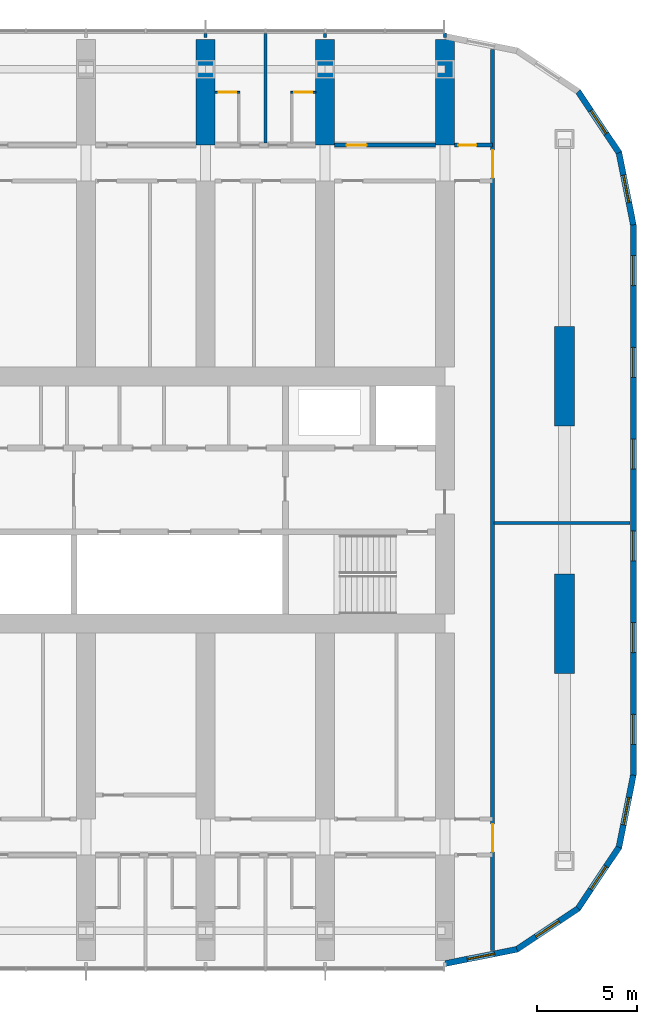
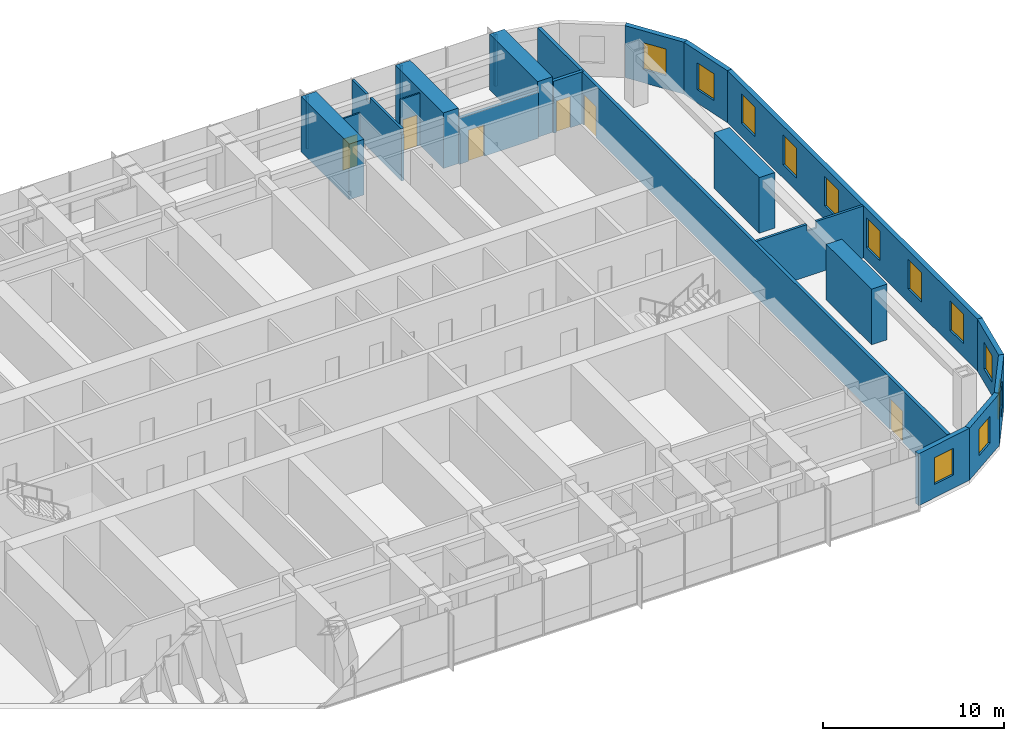
# One storey, part 15 of 21: 22 walls, 12 windows, 6 doors, 18 openings.
"""IFC4 building model written with IfcOpenShell, lengths in metres."""

from ifc_helpers import new_model, si_unit, direction, frame, frame_2d, origin, place, context, subcontext, project, spatial, polyline, rectangle, outline, extrude, material, layer, layer_set, type_object, element, fill, save


model = new_model("IFC4")

# Units and contexts
model_context = context("Model", 3, precision=1e-05, world=origin(), true_north=direction((0.0, 1.0)))
body_context = subcontext(model_context, "Body", "Model", "MODEL_VIEW")
ifc_project = project(units=[si_unit("LENGTHUNIT", "METRE"), si_unit("AREAUNIT", "SQUARE_METRE"), si_unit("VOLUMEUNIT", "CUBIC_METRE"), si_unit("PLANEANGLEUNIT", "RADIAN"), si_unit("MASSUNIT", "GRAM", prefix="KILO")], contexts=[model_context])

# Site, building, storey
site_placement = place(None, origin())
site = spatial("IfcSite", under=ifc_project, at=site_placement, CompositionType="ELEMENT")
building_placement = place(site_placement, origin())
building = spatial("IfcBuilding", under=site, at=building_placement, Name="Orbita Commons", CompositionType="ELEMENT")
storey_placement = place(building_placement, frame((0.0, 0.0, 125.64990234375)))
storey = spatial("IfcBuildingStorey", under=building, at=storey_placement, Name="L31", CompositionType="ELEMENT", Elevation=125.64990234375)

# Wall, opening, door
ifc_material_1 = material(Name="Concrete blockwork", Category="masonry")
ifc_layer_1 = layer(ifc_material_1, 0.199951171875)
ifc_layer_set_1 = layer_set([ifc_layer_1], Name="Concrete blockwork")
wall_type_1 = type_object("IfcWallType", Name="Corridor wall 200 blockwork", PredefinedType="SOLIDWALL", material=ifc_layer_set_1)
wall_1_placement = place(storey_placement, frame((60.47509765625, 49.800048828125, 0.0), z_axis=(0.0, 0.0, 1.0), x_axis=(1.0, 0.0, 0.0)))
wall_1 = element("IfcWall", 1, at=wall_1_placement, inside=storey, type_object=wall_type_1, Name="Corridor wall 200 blockwork L31", PredefinedType="SOLIDWALL", context=body_context, shape_type="SweptSolid", body=[
    extrude(outline(polyline([(0.0, 0.0), (5.0498046875, 0.0), (5.050048828125, 3.10009765625), (0.0, 3.10009765625), (0.0, 0.0)])), frame((0.0, 0.10009765625, 0.0), z_axis=(0.0, -1.0, 0.0), x_axis=(1.0, 0.0, 0.0)), (0.0, 0.0, 1.0), 0.199951171875),
])
opening_1_placement = place(wall_1_placement, frame((0.60009765625, 0.0, 0.0)))
opening_1 = element("IfcOpeningElement", 2, at=opening_1_placement, cuts=wall_1, Name="Opening D06", PredefinedType="OPENING", context=body_context, shape_type="SweptSolid", body=[
    extrude(rectangle(XDim=1.0, YDim=2.10009765625, at=frame_2d((0.5, 1.050048828125))), frame((0.0, 0.10986328125, 0.0), z_axis=(0.0, -1.0, 0.0), x_axis=(1.0, 0.0, 0.0)), (0.0, 0.0, 1.0), 0.219970703125),
])
ifc_material_2 = material(Name="Steel-faced fire door leaf", Category="steel")
door_type_1 = type_object("IfcDoorType", Name="Corridor door 20 min 1000x2100", OperationType="SINGLE_SWING_LEFT", PredefinedType="DOOR", material=ifc_material_2)
door_1_placement = place(opening_1_placement, origin())
door_1 = element("IfcDoor", 3, at=door_1_placement, inside=storey, type_object=door_type_1, Name="Cluster kitchen-diner L31-N16 door", OperationType="SINGLE_SWING_LEFT", OverallHeight=2.10009765625, OverallWidth=1.0, PredefinedType="DOOR", context=body_context, shape_type="SweptSolid", body=[
    extrude(rectangle(XDim=1.0, YDim=2.10009765625, at=frame_2d((0.5, 1.050048828125))), frame((0.0, 0.02490234375, 0.0), z_axis=(0.0, -1.0, 0.0), x_axis=(1.0, 0.0, 0.0)), (0.0, 0.0, 1.0), 0.050048828125),
])
fill(opening_1, door_1)

wall_2_placement = place(storey_placement, frame((66.47509765625, 49.800048828125, 0.0), z_axis=(0.0, 0.0, 1.0), x_axis=(1.0, 0.0, 0.0)))
wall_2 = element("IfcWall", 4, at=wall_2_placement, inside=storey, type_object=wall_type_1, Name="Corridor wall 200 blockwork L31", PredefinedType="SOLIDWALL", context=body_context, shape_type="SweptSolid", body=[
    extrude(rectangle(XDim=1.9248046875, YDim=0.199951171875, at=frame_2d((0.96240234375, 0.0))), origin(), (0.0, 0.0, 1.0), 3.5),
])
opening_2_placement = place(wall_2_placement, frame((0.199951171875, 0.0, 0.0)))
opening_2 = element("IfcOpeningElement", 5, at=opening_2_placement, cuts=wall_2, Name="Opening D05", PredefinedType="OPENING", context=body_context, shape_type="SweptSolid", body=[
    extrude(rectangle(XDim=0.89990234375, YDim=2.10009765625, at=frame_2d((0.449951171875, 1.050048828125))), frame((0.0, 0.10986328125, 0.0), z_axis=(0.0, -1.0, 0.0), x_axis=(1.0, 0.0, 0.0)), (0.0, 0.0, 1.0), 0.219970703125),
])
ifc_material_3 = material(Name="Steel-faced fire door leaf", Category="steel")
door_type_2 = type_object("IfcDoorType", Name="Service door 20 min 900x2100", OperationType="SINGLE_SWING_LEFT", PredefinedType="DOOR", material=ifc_material_3)
door_2_placement = place(opening_2_placement, origin())
door_2 = element("IfcDoor", 6, at=door_2_placement, inside=storey, type_object=door_type_2, Name="Linen store L31-KEN door", OperationType="SINGLE_SWING_LEFT", OverallHeight=2.10009765625, OverallWidth=0.89990234375, PredefinedType="DOOR", context=body_context, shape_type="SweptSolid", body=[
    extrude(rectangle(XDim=0.89990234375, YDim=2.10009765625, at=frame_2d((0.449951171875, 1.050048828125))), frame((0.0, 0.02490234375, 0.0), z_axis=(0.0, -1.0, 0.0), x_axis=(1.0, 0.0, 0.0)), (0.0, 0.0, 1.0), 0.050048828125),
])
fill(opening_2, door_2)

# Wall, openings, doors
wall_3_placement = place(storey_placement, frame((68.39990234375, 9.4052734375, 0.0), z_axis=(0.0, 0.0, 1.0), x_axis=(0.0, 1.0, 0.0)))
wall_3 = element("IfcWall", 7, at=wall_3_placement, inside=storey, type_object=wall_type_1, Name="Corridor wall 200 blockwork L31", PredefinedType="SOLIDWALL", context=body_context, shape_type="SweptSolid", body=[
    extrude(rectangle(XDim=45.189453125, YDim=0.199951171875, at=frame_2d((22.5947265625, 0.0))), origin(), (0.0, 0.0, 1.0), 3.5),
])
opening_3_placement = place(wall_3_placement, frame((4.94482421875, 0.0, 0.0)))
opening_3 = element("IfcOpeningElement", 8, at=opening_3_placement, cuts=wall_3, Name="Opening D08", PredefinedType="OPENING", context=body_context, shape_type="SweptSolid", body=[
    extrude(rectangle(XDim=1.39990234375, YDim=2.10009765625, at=frame_2d((0.699951171875, 1.050048828125))), frame((0.0, 0.10986328125, 0.0), z_axis=(0.0, -1.0, 0.0), x_axis=(1.0, 0.0, 0.0)), (0.0, 0.0, 1.0), 0.219970703125),
])
opening_4_placement = place(wall_3_placement, frame((38.74462890625, 0.0, 0.0)))
opening_4 = element("IfcOpeningElement", 9, at=opening_4_placement, cuts=wall_3, Name="Opening D08", PredefinedType="OPENING", context=body_context, shape_type="SweptSolid", body=[
    extrude(rectangle(XDim=1.39990234375, YDim=2.10009765625, at=frame_2d((0.699951171875, 1.050048828125))), frame((0.0, 0.10986328125, 0.0), z_axis=(0.0, -1.0, 0.0), x_axis=(1.0, 0.0, 0.0)), (0.0, 0.0, 1.0), 0.219970703125),
])
ifc_material_4 = material(Name="Steel-faced fire door leaf", Category="steel")
door_type_3 = type_object("IfcDoorType", Name="Double corridor door 20 min 1400x2100", OperationType="DOUBLE_DOOR_SINGLE_SWING", PredefinedType="DOOR", material=ifc_material_4)
door_3_placement = place(opening_3_placement, origin())
door_3 = element("IfcDoor", 10, at=door_3_placement, inside=storey, type_object=door_type_3, Name="Lounge doors", OperationType="DOUBLE_DOOR_SINGLE_SWING", OverallHeight=2.10009765625, OverallWidth=1.39990234375, PredefinedType="DOOR", context=body_context, shape_type="SweptSolid", body=[
    extrude(rectangle(XDim=1.39990234375, YDim=2.10009765625, at=frame_2d((0.699951171875, 1.050048828125))), frame((0.0, 0.02490234375, 0.0), z_axis=(0.0, -1.0, 0.0), x_axis=(1.0, 0.0, 0.0)), (0.0, 0.0, 1.0), 0.050048828125),
])
fill(opening_3, door_3)
door_4_placement = place(opening_4_placement, origin())
door_4 = element("IfcDoor", 11, at=door_4_placement, inside=storey, type_object=door_type_3, Name="Lounge doors", OperationType="DOUBLE_DOOR_SINGLE_SWING", OverallHeight=2.10009765625, OverallWidth=1.39990234375, PredefinedType="DOOR", context=body_context, shape_type="SweptSolid", body=[
    extrude(rectangle(XDim=1.39990234375, YDim=2.10009765625, at=frame_2d((0.699951171875, 1.050048828125))), frame((0.0, 0.02490234375, 0.0), z_axis=(0.0, -1.0, 0.0), x_axis=(1.0, 0.0, 0.0)), (0.0, 0.0, 1.0), 0.050048828125),
])
fill(opening_4, door_4)

# Walls
ifc_material_5 = material(Name="Concrete C50/60", Category="concrete")
ifc_layer_2 = layer(ifc_material_5, 0.949951171875)
ifc_layer_set_2 = layer_set([ifc_layer_2], Name="Concrete C50/60")
wall_type_2 = type_object("IfcWallType", Name="Cross wall 950 C50/60", PredefinedType="SHEAR", material=ifc_layer_set_2)
for number, where, z_axis, x_axis, name in (
    (12, (54.0, 49.800048828125, 0.0), (0.0, 0.0, 1.0), (0.0, 1.0, 0.0), "Cross wall 10 north outer L31"),
    (13, (60.0, 49.800048828125, 0.0), (0.0, 0.0, 1.0), (0.0, 1.0, 0.0), "Cross wall 11 north outer L31"),
    (14, (66.0, 49.800048828125, 0.0), (0.0, 0.0, 1.0), (0.0, 1.0, 0.0), "Cross wall 12 north outer L31"),
):
    element("IfcWall", number, at=place(storey_placement, frame(where, z_axis=z_axis, x_axis=x_axis)), inside=storey, type_object=wall_type_2, Name=name, PredefinedType="SHEAR", context=body_context, shape_type="SweptSolid", body=[
        extrude(rectangle(XDim=5.300048828125, YDim=0.949951171875, at=frame_2d((2.64990234375, 0.0))), origin(), (0.0, 0.0, 1.0), 3.75),
    ])

# Wall, opening, door
ifc_material_6 = material(Name="Moisture-resistant plasterboard on steel studs", Category="steel")
ifc_layer_3 = layer(ifc_material_6, 0.10009765625)
ifc_layer_set_3 = layer_set([ifc_layer_3], Name="Moisture-resistant plasterboard on steel studs")
wall_type_3 = type_object("IfcWallType", Name="En-suite partition 100", PredefinedType="PARTITIONING", material=ifc_layer_set_3)
wall_4_placement = place(storey_placement, frame((54.47509765625, 52.441650390625, 0.0), z_axis=(0.0, 0.0, 1.0), x_axis=(1.0, 0.0, 0.0)))
wall_4 = element("IfcWall", 15, at=wall_4_placement, inside=storey, type_object=wall_type_3, Name="En-suite partition 100 L31", PredefinedType="PARTITIONING", context=body_context, shape_type="SweptSolid", body=[
    extrude(rectangle(XDim=1.25, YDim=0.10009765625, at=frame_2d((0.625, 0.0))), origin(), (0.0, 0.0, 1.0), 3.5),
])
opening_5_placement = place(wall_4_placement, frame((0.175048828125, 0.0, 0.0)))
opening_5 = element("IfcOpeningElement", 16, at=opening_5_placement, cuts=wall_4, Name="Opening D09", PredefinedType="OPENING", context=body_context, shape_type="SweptSolid", body=[
    extrude(rectangle(XDim=0.89990234375, YDim=2.10009765625, at=frame_2d((0.449951171875, 1.050048828125))), frame((0.0, 0.06005859375, 0.0), z_axis=(0.0, -1.0, 0.0), x_axis=(1.0, 0.0, 0.0)), (0.0, 0.0, 1.0), 0.1201171875),
])
ifc_material_7 = material(Name="Laminated timber door leaf", Category="wood")
door_type_4 = type_object("IfcDoorType", Name="En-suite door 900x2100", OperationType="SINGLE_SWING_RIGHT", PredefinedType="DOOR", material=ifc_material_7)
door_5_placement = place(opening_5_placement, origin())
door_5 = element("IfcDoor", 17, at=door_5_placement, inside=storey, type_object=door_type_4, Name="En-suite L31-N14 door", OperationType="SINGLE_SWING_RIGHT", OverallHeight=2.10009765625, OverallWidth=0.89990234375, PredefinedType="DOOR", context=body_context, shape_type="SweptSolid", body=[
    extrude(rectangle(XDim=0.89990234375, YDim=2.10009765625, at=frame_2d((0.449951171875, 1.050048828125))), frame((0.0, 0.02490234375, 0.0), z_axis=(0.0, -1.0, 0.0), x_axis=(1.0, 0.0, 0.0)), (0.0, 0.0, 1.0), 0.050048828125),
])
fill(opening_5, door_5)

wall_5_placement = place(storey_placement, frame((58.27490234375, 52.441650390625, 0.0), z_axis=(0.0, 0.0, 1.0), x_axis=(1.0, 0.0, 0.0)))
wall_5 = element("IfcWall", 18, at=wall_5_placement, inside=storey, type_object=wall_type_3, Name="En-suite partition 100 L31", PredefinedType="PARTITIONING", context=body_context, shape_type="SweptSolid", body=[
    extrude(rectangle(XDim=1.25, YDim=0.10009765625, at=frame_2d((0.625, 0.0))), origin(), (0.0, 0.0, 1.0), 3.5),
])
opening_6_placement = place(wall_5_placement, frame((0.175048828125, 0.0, 0.0)))
opening_6 = element("IfcOpeningElement", 19, at=opening_6_placement, cuts=wall_5, Name="Opening D09", PredefinedType="OPENING", context=body_context, shape_type="SweptSolid", body=[
    extrude(rectangle(XDim=0.89990234375, YDim=2.10009765625, at=frame_2d((0.449951171875, 1.050048828125))), frame((0.0, 0.06005859375, 0.0), z_axis=(0.0, -1.0, 0.0), x_axis=(1.0, 0.0, 0.0)), (0.0, 0.0, 1.0), 0.1201171875),
])
door_6_placement = place(opening_6_placement, origin())
door_6 = element("IfcDoor", 20, at=door_6_placement, inside=storey, type_object=door_type_4, Name="En-suite L31-N15 door", OperationType="SINGLE_SWING_RIGHT", OverallHeight=2.10009765625, OverallWidth=0.89990234375, PredefinedType="DOOR", context=body_context, shape_type="SweptSolid", body=[
    extrude(rectangle(XDim=0.89990234375, YDim=2.10009765625, at=frame_2d((0.449951171875, 1.050048828125))), frame((0.0, 0.02490234375, 0.0), z_axis=(0.0, -1.0, 0.0), x_axis=(1.0, 0.0, 0.0)), (0.0, 0.0, 1.0), 0.050048828125),
])
fill(opening_6, door_6)

# Walls
ifc_material_8 = material(Name="Concrete C50/60", Category="concrete")
ifc_layer_4 = layer(ifc_material_8, 1.0)
ifc_layer_set_4 = layer_set([ifc_layer_4], Name="Concrete C50/60")
wall_type_4 = type_object("IfcWallType", Name="End pier 1000x5000 C50/60", PredefinedType="SHEAR", material=ifc_layer_set_4)
for number, where, z_axis, x_axis, name in (
    (21, (72.0, 23.300048828125, 0.0), (0.0, 0.0, 1.0), (0.0, 1.0, 0.0), "End pier 13/C L31"),
    (22, (72.0, 35.699951171875, 0.0), (0.0, 0.0, 1.0), (0.0, 1.0, 0.0), "End pier 13/D L31"),
):
    element("IfcWall", number, at=place(storey_placement, frame(where, z_axis=z_axis, x_axis=x_axis)), inside=storey, type_object=wall_type_4, Name=name, PredefinedType="SHEAR", context=body_context, shape_type="SweptSolid", body=[
        extrude(rectangle(XDim=5.0, YDim=1.0, at=frame_2d((2.5, 0.0))), origin(), (0.0, 0.0, 1.0), 3.75),
    ])
ifc_material_9 = material(Name="Gypsum plasterboard on steel studs", Category="steel")
ifc_layer_5 = layer(ifc_material_9, 0.14990234375)
ifc_layer_set_5 = layer_set([ifc_layer_5], Name="Gypsum plasterboard on steel studs")
wall_type_5 = type_object("IfcWallType", Name="Partition 150 plasterboard", PredefinedType="PARTITIONING", material=ifc_layer_set_5)
wall_6_placement = place(storey_placement, frame((68.47509765625, 30.85009765625, 0.0), z_axis=(0.0, 0.0, 1.0), x_axis=(1.0, 0.0, 0.0)))
element("IfcWall", 23, at=wall_6_placement, inside=storey, type_object=wall_type_5, Name="Partition 150 plasterboard L31", PredefinedType="PARTITIONING", context=body_context, shape_type="SweptSolid", body=[
    extrude(outline(polyline([(0.0, 0.0), (6.81982421875, 0.0), (6.820068359375, 3.5), (3.826904296875, 3.5), (3.824951171875, 3.050048828125), (3.22705078125, 3.050048828125), (3.22509765625, 3.5), (0.0, 3.5), (0.0, 0.0)])), frame((0.0, 0.074951171875, 0.0), z_axis=(0.0, -1.0, 0.0), x_axis=(1.0, 0.0, 0.0)), (0.0, 0.0, 1.0), 0.14990234375),
])
for number, where, z_axis, x_axis, name in (
    (24, (54.0, 55.199951171875, 0.0), (0.0, 0.0, 1.0), (0.0, 1.0, 0.0), "Partition 150 plasterboard L31"),
    (25, (60.0, 55.199951171875, 0.0), (0.0, 0.0, 1.0), (0.0, 1.0, 0.0), "Partition 150 plasterboard L31"),
):
    element("IfcWall", number, at=place(storey_placement, frame(where, z_axis=z_axis, x_axis=x_axis)), inside=storey, type_object=wall_type_5, Name=name, PredefinedType="PARTITIONING", context=body_context, shape_type="SweptSolid", body=[
        extrude(rectangle(XDim=0.18994140625, YDim=0.14990234375, at=frame_2d((0.094970703125, 0.0))), origin(), (0.0, 0.0, 1.0), 3.5),
    ])
wall_7_placement = place(storey_placement, frame((66.0, 55.199951171875, 0.0), z_axis=(0.0, 0.0, 1.0), x_axis=(0.0, 1.0, 0.0)))
element("IfcWall", 26, at=wall_7_placement, inside=storey, type_object=wall_type_5, Name="Partition 150 plasterboard L31", PredefinedType="PARTITIONING", context=body_context, shape_type="SweptSolid", body=[
    extrude(rectangle(XDim=0.219970703125, YDim=0.14990234375, at=frame_2d((0.10986328125, 0.0))), origin(), (0.0, 0.0, 1.0), 3.5),
])
ifc_material_10 = material(Name="Gypsum plasterboard on steel studs", Category="steel")
ifc_layer_6 = layer(ifc_material_10, 0.14990234375)
ifc_layer_set_6 = layer_set([ifc_layer_6], Name="Gypsum plasterboard on steel studs")
wall_type_6 = type_object("IfcWallType", Name="Party wall 150 plasterboard", PredefinedType="PARTITIONING", material=ifc_layer_set_6)
wall_8_placement = place(storey_placement, frame((57.0, 55.389892578125, 0.0), z_axis=(0.0, 0.0, 1.0), x_axis=(0.0, -1.0, 0.0)))
element("IfcWall", 27, at=wall_8_placement, inside=storey, type_object=wall_type_6, Name="Party wall 150 plasterboard L31", PredefinedType="PARTITIONING", context=body_context, shape_type="SweptSolid", body=[
    extrude(outline(polyline([(0.0, 0.0), (5.489990234375, 0.0), (5.489990234375, 3.10009765625), (5.44189453125, 3.10009765625), (5.43994140625, 3.5), (1.991943359375, 3.5), (1.989990234375, 3.10009765625), (1.592041015625, 3.10009765625), (1.590087890625, 3.5), (0.0, 3.5), (0.0, 0.0)])), frame((0.0, 0.074951171875, 0.0), z_axis=(0.0, -1.0, 0.0), x_axis=(1.0, 0.0, 0.0)), (0.0, 0.0, 1.0), 0.14990234375),
])

# Wall, openings, windows
ifc_material_11 = material(Name="Precast concrete C40/50, white board-marked finish", Category="concrete")
ifc_layer_7 = layer(ifc_material_11, 0.300048828125)
ifc_layer_set_7 = layer_set([ifc_layer_7], Name="Precast concrete C40/50, white board-marked finish")
wall_type_7 = type_object("IfcWallType", Name="Precast concrete end shield 300", PredefinedType="SOLIDWALL", material=ifc_layer_set_7)
wall_9_placement = place(storey_placement, frame((75.449951171875, 18.199951171875, 0.0), z_axis=(0.0, 0.0, 1.0), x_axis=(0.0, 1.0, 0.0)))
wall_9 = element("IfcWall", 28, at=wall_9_placement, inside=storey, type_object=wall_type_7, Name="End shield E L31", PredefinedType="SOLIDWALL", context=body_context, shape_type="SweptSolid", body=[
    extrude(outline(polyline([(-0.014892578125, -0.14990234375), (27.614990234375, -0.14990234375), (27.585205078125, 0.14990234375), (0.014892578125, 0.14990234375), (-0.014892578125, -0.14990234375)])), origin(), (0.0, 0.0, 1.0), 3.5),
])
opening_7_placement = place(wall_9_placement, frame((1.550048828125, 0.0, 0.89990234375)))
opening_7 = element("IfcOpeningElement", 29, at=opening_7_placement, cuts=wall_9, Name="Opening W01", PredefinedType="OPENING", context=body_context, shape_type="SweptSolid", body=[
    extrude(rectangle(XDim=1.5, YDim=2.0, at=frame_2d((0.75, 1.0))), frame((0.0, 0.159912109375, 0.0), z_axis=(0.0, -1.0, 0.0), x_axis=(1.0, 0.0, 0.0)), (0.0, 0.0, 1.0), 0.320068359375),
])
opening_8_placement = place(wall_9_placement, frame((6.14990234375, 0.0, 0.89990234375)))
opening_8 = element("IfcOpeningElement", 30, at=opening_8_placement, cuts=wall_9, Name="Opening W01", PredefinedType="OPENING", context=body_context, shape_type="SweptSolid", body=[
    extrude(rectangle(XDim=1.5, YDim=2.0, at=frame_2d((0.75, 1.0))), frame((0.0, 0.159912109375, 0.0), z_axis=(0.0, -1.0, 0.0), x_axis=(1.0, 0.0, 0.0)), (0.0, 0.0, 1.0), 0.320068359375),
])
opening_9_placement = place(wall_9_placement, frame((10.75, 0.0, 0.89990234375)))
opening_9 = element("IfcOpeningElement", 31, at=opening_9_placement, cuts=wall_9, Name="Opening W01", PredefinedType="OPENING", context=body_context, shape_type="SweptSolid", body=[
    extrude(rectangle(XDim=1.5, YDim=2.0, at=frame_2d((0.75, 1.0))), frame((0.0, 0.159912109375, 0.0), z_axis=(0.0, -1.0, 0.0), x_axis=(1.0, 0.0, 0.0)), (0.0, 0.0, 1.0), 0.320068359375),
])
opening_10_placement = place(wall_9_placement, frame((15.35009765625, 0.0, 0.89990234375)))
opening_10 = element("IfcOpeningElement", 32, at=opening_10_placement, cuts=wall_9, Name="Opening W01", PredefinedType="OPENING", context=body_context, shape_type="SweptSolid", body=[
    extrude(rectangle(XDim=1.5, YDim=2.0, at=frame_2d((0.75, 1.0))), frame((0.0, 0.159912109375, 0.0), z_axis=(0.0, -1.0, 0.0), x_axis=(1.0, 0.0, 0.0)), (0.0, 0.0, 1.0), 0.320068359375),
])
opening_11_placement = place(wall_9_placement, frame((19.949951171875, 0.0, 0.89990234375)))
opening_11 = element("IfcOpeningElement", 33, at=opening_11_placement, cuts=wall_9, Name="Opening W01", PredefinedType="OPENING", context=body_context, shape_type="SweptSolid", body=[
    extrude(rectangle(XDim=1.5, YDim=2.0, at=frame_2d((0.75, 1.0))), frame((0.0, 0.159912109375, 0.0), z_axis=(0.0, -1.0, 0.0), x_axis=(1.0, 0.0, 0.0)), (0.0, 0.0, 1.0), 0.320068359375),
])
opening_12_placement = place(wall_9_placement, frame((24.550048828125, 0.0, 0.89990234375)))
opening_12 = element("IfcOpeningElement", 34, at=opening_12_placement, cuts=wall_9, Name="Opening W01", PredefinedType="OPENING", context=body_context, shape_type="SweptSolid", body=[
    extrude(rectangle(XDim=1.5, YDim=2.0, at=frame_2d((0.75, 1.0))), frame((0.0, 0.159912109375, 0.0), z_axis=(0.0, -1.0, 0.0), x_axis=(1.0, 0.0, 0.0)), (0.0, 0.0, 1.0), 0.320068359375),
])
ifc_material_12 = material(Name="Aluminium frame, clear double glazing", Category="aluminium")
window_type_1 = type_object("IfcWindowType", Name="Deep-set window 1500x2000", PartitioningType="SINGLE_PANEL", PredefinedType="WINDOW", material=ifc_material_12)
window_1_placement = place(opening_7_placement, origin())
window_1 = element("IfcWindow", 35, at=window_1_placement, inside=storey, type_object=window_type_1, Name="Window L31-E 1", OverallHeight=2.0, OverallWidth=1.5, PartitioningType="SINGLE_PANEL", PredefinedType="WINDOW", context=body_context, shape_type="SweptSolid", body=[
    extrude(rectangle(XDim=1.5, YDim=2.0, at=frame_2d((0.75, 1.0))), frame((0.0, 0.030029296875, 0.0), z_axis=(0.0, -1.0, 0.0), x_axis=(1.0, 0.0, 0.0)), (0.0, 0.0, 1.0), 0.06005859375),
])
fill(opening_7, window_1)
window_2_placement = place(opening_8_placement, origin())
window_2 = element("IfcWindow", 36, at=window_2_placement, inside=storey, type_object=window_type_1, Name="Window L31-E 2", OverallHeight=2.0, OverallWidth=1.5, PartitioningType="SINGLE_PANEL", PredefinedType="WINDOW", context=body_context, shape_type="SweptSolid", body=[
    extrude(rectangle(XDim=1.5, YDim=2.0, at=frame_2d((0.75, 1.0))), frame((0.0, 0.030029296875, 0.0), z_axis=(0.0, -1.0, 0.0), x_axis=(1.0, 0.0, 0.0)), (0.0, 0.0, 1.0), 0.06005859375),
])
fill(opening_8, window_2)
window_3_placement = place(opening_9_placement, origin())
window_3 = element("IfcWindow", 37, at=window_3_placement, inside=storey, type_object=window_type_1, Name="Window L31-E 3", OverallHeight=2.0, OverallWidth=1.5, PartitioningType="SINGLE_PANEL", PredefinedType="WINDOW", context=body_context, shape_type="SweptSolid", body=[
    extrude(rectangle(XDim=1.5, YDim=2.0, at=frame_2d((0.75, 1.0))), frame((0.0, 0.030029296875, 0.0), z_axis=(0.0, -1.0, 0.0), x_axis=(1.0, 0.0, 0.0)), (0.0, 0.0, 1.0), 0.06005859375),
])
fill(opening_9, window_3)
window_4_placement = place(opening_10_placement, origin())
window_4 = element("IfcWindow", 38, at=window_4_placement, inside=storey, type_object=window_type_1, Name="Window L31-E 4", OverallHeight=2.0, OverallWidth=1.5, PartitioningType="SINGLE_PANEL", PredefinedType="WINDOW", context=body_context, shape_type="SweptSolid", body=[
    extrude(rectangle(XDim=1.5, YDim=2.0, at=frame_2d((0.75, 1.0))), frame((0.0, 0.030029296875, 0.0), z_axis=(0.0, -1.0, 0.0), x_axis=(1.0, 0.0, 0.0)), (0.0, 0.0, 1.0), 0.06005859375),
])
fill(opening_10, window_4)
window_5_placement = place(opening_11_placement, origin())
window_5 = element("IfcWindow", 39, at=window_5_placement, inside=storey, type_object=window_type_1, Name="Window L31-E 5", OverallHeight=2.0, OverallWidth=1.5, PartitioningType="SINGLE_PANEL", PredefinedType="WINDOW", context=body_context, shape_type="SweptSolid", body=[
    extrude(rectangle(XDim=1.5, YDim=2.0, at=frame_2d((0.75, 1.0))), frame((0.0, 0.030029296875, 0.0), z_axis=(0.0, -1.0, 0.0), x_axis=(1.0, 0.0, 0.0)), (0.0, 0.0, 1.0), 0.06005859375),
])
fill(opening_11, window_5)
window_6_placement = place(opening_12_placement, origin())
window_6 = element("IfcWindow", 40, at=window_6_placement, inside=storey, type_object=window_type_1, Name="Window L31-E 6", OverallHeight=2.0, OverallWidth=1.5, PartitioningType="SINGLE_PANEL", PredefinedType="WINDOW", context=body_context, shape_type="SweptSolid", body=[
    extrude(rectangle(XDim=1.5, YDim=2.0, at=frame_2d((0.75, 1.0))), frame((0.0, 0.030029296875, 0.0), z_axis=(0.0, -1.0, 0.0), x_axis=(1.0, 0.0, 0.0)), (0.0, 0.0, 1.0), 0.06005859375),
])
fill(opening_12, window_6)

# Wall, opening, window
wall_10_placement = place(storey_placement, frame((66.0, 8.75, 0.0), z_axis=(0.0, 0.0, 1.0), x_axis=(0.980791473772, 0.195059183267, 0.0)))
wall_10 = element("IfcWall", 41, at=wall_10_placement, inside=storey, type_object=wall_type_7, Name="End shield SE chord 1 L31", PredefinedType="SOLIDWALL", context=body_context, shape_type="SweptSolid", body=[
    extrude(outline(polyline([(-0.02978515625, -0.14990234375), (3.717041015625, -0.14990234375), (3.657470703125, 0.14990234375), (0.02978515625, 0.14990234375), (-0.02978515625, -0.14990234375)])), origin(), (0.0, 0.0, 1.0), 3.5),
])
opening_13_placement = place(wall_10_placement, frame((1.1435546875, 0.0, 0.89990234375)))
opening_13 = element("IfcOpeningElement", 42, at=opening_13_placement, cuts=wall_10, Name="Opening W02", PredefinedType="OPENING", context=body_context, shape_type="SweptSolid", body=[
    extrude(rectangle(XDim=1.39990234375, YDim=1.800048828125, at=frame_2d((0.699951171875, 0.89990234375))), frame((0.0, 0.159912109375, 0.0), z_axis=(0.0, -1.0, 0.0), x_axis=(1.0, 0.0, 0.0)), (0.0, 0.0, 1.0), 0.320068359375),
])
ifc_material_13 = material(Name="Aluminium frame, clear double glazing", Category="aluminium")
window_type_2 = type_object("IfcWindowType", Name="Deep-set window 1400x1800", PartitioningType="SINGLE_PANEL", PredefinedType="WINDOW", material=ifc_material_13)
window_7_placement = place(opening_13_placement, origin())
window_7 = element("IfcWindow", 43, at=window_7_placement, inside=storey, type_object=window_type_2, Name="Window L31-SE0", OverallHeight=1.800048828125, OverallWidth=1.39990234375, PartitioningType="SINGLE_PANEL", PredefinedType="WINDOW", context=body_context, shape_type="SweptSolid", body=[
    extrude(rectangle(XDim=1.39990234375, YDim=1.800048828125, at=frame_2d((0.699951171875, 0.89990234375))), frame((0.0, 0.030029296875, 0.0), z_axis=(0.0, -1.0, 0.0), x_axis=(1.0, 0.0, 0.0)), (0.0, 0.0, 1.0), 0.06005859375),
])
fill(opening_13, window_7)

wall_11_placement = place(storey_placement, frame((69.616455078125, 9.46923828125, 0.0), z_axis=(0.0, 0.0, 1.0), x_axis=(0.831448786846, 0.555601399253, 0.0)))
wall_11 = element("IfcWall", 44, at=wall_11_placement, inside=storey, type_object=wall_type_7, Name="End shield SE chord 2 L31", PredefinedType="SOLIDWALL", context=body_context, shape_type="SweptSolid", body=[
    extrude(outline(polyline([(-0.02978515625, -0.14990234375), (3.717041015625, -0.14990234375), (3.657470703125, 0.14990234375), (0.02978515625, 0.14990234375), (-0.02978515625, -0.14990234375)])), origin(), (0.0, 0.0, 1.0), 3.5),
])
opening_14_placement = place(wall_11_placement, frame((1.1435546875, 0.0, 0.89990234375)))
opening_14 = element("IfcOpeningElement", 45, at=opening_14_placement, cuts=wall_11, Name="Opening W02", PredefinedType="OPENING", context=body_context, shape_type="SweptSolid", body=[
    extrude(rectangle(XDim=1.39990234375, YDim=1.800048828125, at=frame_2d((0.699951171875, 0.89990234375))), frame((0.0, 0.159912109375, 0.0), z_axis=(0.0, -1.0, 0.0), x_axis=(1.0, 0.0, 0.0)), (0.0, 0.0, 1.0), 0.320068359375),
])
window_8_placement = place(opening_14_placement, origin())
window_8 = element("IfcWindow", 46, at=window_8_placement, inside=storey, type_object=window_type_2, Name="Window L31-SE1", OverallHeight=1.800048828125, OverallWidth=1.39990234375, PartitioningType="SINGLE_PANEL", PredefinedType="WINDOW", context=body_context, shape_type="SweptSolid", body=[
    extrude(rectangle(XDim=1.39990234375, YDim=1.800048828125, at=frame_2d((0.699951171875, 0.89990234375))), frame((0.0, 0.030029296875, 0.0), z_axis=(0.0, -1.0, 0.0), x_axis=(1.0, 0.0, 0.0)), (0.0, 0.0, 1.0), 0.06005859375),
])
fill(opening_14, window_8)

wall_12_placement = place(storey_placement, frame((72.68212890625, 11.517822265625, 0.0), z_axis=(0.0, 0.0, 1.0), x_axis=(0.555601399253, 0.831448786846, 0.0)))
wall_12 = element("IfcWall", 47, at=wall_12_placement, inside=storey, type_object=wall_type_7, Name="End shield SE chord 3 L31", PredefinedType="SOLIDWALL", context=body_context, shape_type="SweptSolid", body=[
    extrude(outline(polyline([(-0.02978515625, -0.14990234375), (3.717041015625, -0.14990234375), (3.657470703125, 0.14990234375), (0.02978515625, 0.14990234375), (-0.02978515625, -0.14990234375)])), origin(), (0.0, 0.0, 1.0), 3.5),
])
opening_15_placement = place(wall_12_placement, frame((1.1435546875, 0.0, 0.89990234375)))
opening_15 = element("IfcOpeningElement", 48, at=opening_15_placement, cuts=wall_12, Name="Opening W02", PredefinedType="OPENING", context=body_context, shape_type="SweptSolid", body=[
    extrude(rectangle(XDim=1.39990234375, YDim=1.800048828125, at=frame_2d((0.699951171875, 0.89990234375))), frame((0.0, 0.159912109375, 0.0), z_axis=(0.0, -1.0, 0.0), x_axis=(1.0, 0.0, 0.0)), (0.0, 0.0, 1.0), 0.320068359375),
])
window_9_placement = place(opening_15_placement, origin())
window_9 = element("IfcWindow", 49, at=window_9_placement, inside=storey, type_object=window_type_2, Name="Window L31-SE2", OverallHeight=1.800048828125, OverallWidth=1.39990234375, PartitioningType="SINGLE_PANEL", PredefinedType="WINDOW", context=body_context, shape_type="SweptSolid", body=[
    extrude(rectangle(XDim=1.39990234375, YDim=1.800048828125, at=frame_2d((0.699951171875, 0.89990234375))), frame((0.0, 0.030029296875, 0.0), z_axis=(0.0, -1.0, 0.0), x_axis=(1.0, 0.0, 0.0)), (0.0, 0.0, 1.0), 0.06005859375),
])
fill(opening_15, window_9)

wall_13_placement = place(storey_placement, frame((74.730712890625, 14.58349609375, 0.0), z_axis=(0.0, 0.0, 1.0), x_axis=(0.195059183267, 0.980791473772, 0.0)))
wall_13 = element("IfcWall", 50, at=wall_13_placement, inside=storey, type_object=wall_type_7, Name="End shield SE chord 4 L31", PredefinedType="SOLIDWALL", context=body_context, shape_type="SweptSolid", body=[
    extrude(outline(polyline([(-0.02978515625, -0.14990234375), (3.7021484375, -0.14990234375), (3.67236328125, 0.14990234375), (0.02978515625, 0.14990234375), (-0.02978515625, -0.14990234375)])), origin(), (0.0, 0.0, 1.0), 3.5),
])
opening_16_placement = place(wall_13_placement, frame((1.1435546875, 0.0, 0.89990234375)))
opening_16 = element("IfcOpeningElement", 51, at=opening_16_placement, cuts=wall_13, Name="Opening W02", PredefinedType="OPENING", context=body_context, shape_type="SweptSolid", body=[
    extrude(rectangle(XDim=1.39990234375, YDim=1.800048828125, at=frame_2d((0.699951171875, 0.89990234375))), frame((0.0, 0.159912109375, 0.0), z_axis=(0.0, -1.0, 0.0), x_axis=(1.0, 0.0, 0.0)), (0.0, 0.0, 1.0), 0.320068359375),
])
window_10_placement = place(opening_16_placement, origin())
window_10 = element("IfcWindow", 52, at=window_10_placement, inside=storey, type_object=window_type_2, Name="Window L31-SE3", OverallHeight=1.800048828125, OverallWidth=1.39990234375, PartitioningType="SINGLE_PANEL", PredefinedType="WINDOW", context=body_context, shape_type="SweptSolid", body=[
    extrude(rectangle(XDim=1.39990234375, YDim=1.800048828125, at=frame_2d((0.699951171875, 0.89990234375))), frame((0.0, 0.030029296875, 0.0), z_axis=(0.0, -1.0, 0.0), x_axis=(1.0, 0.0, 0.0)), (0.0, 0.0, 1.0), 0.06005859375),
])
fill(opening_16, window_10)

wall_14_placement = place(storey_placement, frame((75.449951171875, 45.800048828125, 0.0), z_axis=(0.0, 0.0, 1.0), x_axis=(-0.195059183267, 0.980791473772, 0.0)))
wall_14 = element("IfcWall", 53, at=wall_14_placement, inside=storey, type_object=wall_type_7, Name="End shield NE chord 1 L31", PredefinedType="SOLIDWALL", context=body_context, shape_type="SweptSolid", body=[
    extrude(outline(polyline([(-0.014892578125, -0.14990234375), (3.717041015625, -0.14990234375), (3.657470703125, 0.14990234375), (0.014892578125, 0.14990234375), (-0.014892578125, -0.14990234375)])), origin(), (0.0, 0.0, 1.0), 3.5),
])
opening_17_placement = place(wall_14_placement, frame((1.1435546875, 0.0, 0.89990234375)))
opening_17 = element("IfcOpeningElement", 54, at=opening_17_placement, cuts=wall_14, Name="Opening W02", PredefinedType="OPENING", context=body_context, shape_type="SweptSolid", body=[
    extrude(rectangle(XDim=1.39990234375, YDim=1.800048828125, at=frame_2d((0.699951171875, 0.89990234375))), frame((0.0, 0.159912109375, 0.0), z_axis=(0.0, -1.0, 0.0), x_axis=(1.0, 0.0, 0.0)), (0.0, 0.0, 1.0), 0.320068359375),
])
window_11_placement = place(opening_17_placement, origin())
window_11 = element("IfcWindow", 55, at=window_11_placement, inside=storey, type_object=window_type_2, Name="Window L31-NE0", OverallHeight=1.800048828125, OverallWidth=1.39990234375, PartitioningType="SINGLE_PANEL", PredefinedType="WINDOW", context=body_context, shape_type="SweptSolid", body=[
    extrude(rectangle(XDim=1.39990234375, YDim=1.800048828125, at=frame_2d((0.699951171875, 0.89990234375))), frame((0.0, 0.030029296875, 0.0), z_axis=(0.0, -1.0, 0.0), x_axis=(1.0, 0.0, 0.0)), (0.0, 0.0, 1.0), 0.06005859375),
])
fill(opening_17, window_11)

wall_15_placement = place(storey_placement, frame((74.730712890625, 49.41650390625, 0.0), z_axis=(0.0, 0.0, 1.0), x_axis=(-0.555601399253, 0.831448786846, 0.0)))
wall_15 = element("IfcWall", 56, at=wall_15_placement, inside=storey, type_object=wall_type_7, Name="End shield NE chord 2 L31", PredefinedType="SOLIDWALL", context=body_context, shape_type="SweptSolid", body=[
    extrude(outline(polyline([(-0.02978515625, -0.14990234375), (3.717041015625, -0.14990234375), (3.657470703125, 0.14990234375), (0.02978515625, 0.14990234375), (-0.02978515625, -0.14990234375)])), origin(), (0.0, 0.0, 1.0), 3.5),
])
opening_18_placement = place(wall_15_placement, frame((1.1435546875, 0.0, 0.89990234375)))
opening_18 = element("IfcOpeningElement", 57, at=opening_18_placement, cuts=wall_15, Name="Opening W02", PredefinedType="OPENING", context=body_context, shape_type="SweptSolid", body=[
    extrude(rectangle(XDim=1.39990234375, YDim=1.800048828125, at=frame_2d((0.699951171875, 0.89990234375))), frame((0.0, 0.159912109375, 0.0), z_axis=(0.0, -1.0, 0.0), x_axis=(1.0, 0.0, 0.0)), (0.0, 0.0, 1.0), 0.320068359375),
])
window_12_placement = place(opening_18_placement, origin())
window_12 = element("IfcWindow", 58, at=window_12_placement, inside=storey, type_object=window_type_2, Name="Window L31-NE1", OverallHeight=1.800048828125, OverallWidth=1.39990234375, PartitioningType="SINGLE_PANEL", PredefinedType="WINDOW", context=body_context, shape_type="SweptSolid", body=[
    extrude(rectangle(XDim=1.39990234375, YDim=1.800048828125, at=frame_2d((0.699951171875, 0.89990234375))), frame((0.0, 0.030029296875, 0.0), z_axis=(0.0, -1.0, 0.0), x_axis=(1.0, 0.0, 0.0)), (0.0, 0.0, 1.0), 0.06005859375),
])
fill(opening_18, window_12)

save(model, "model.ifc")
